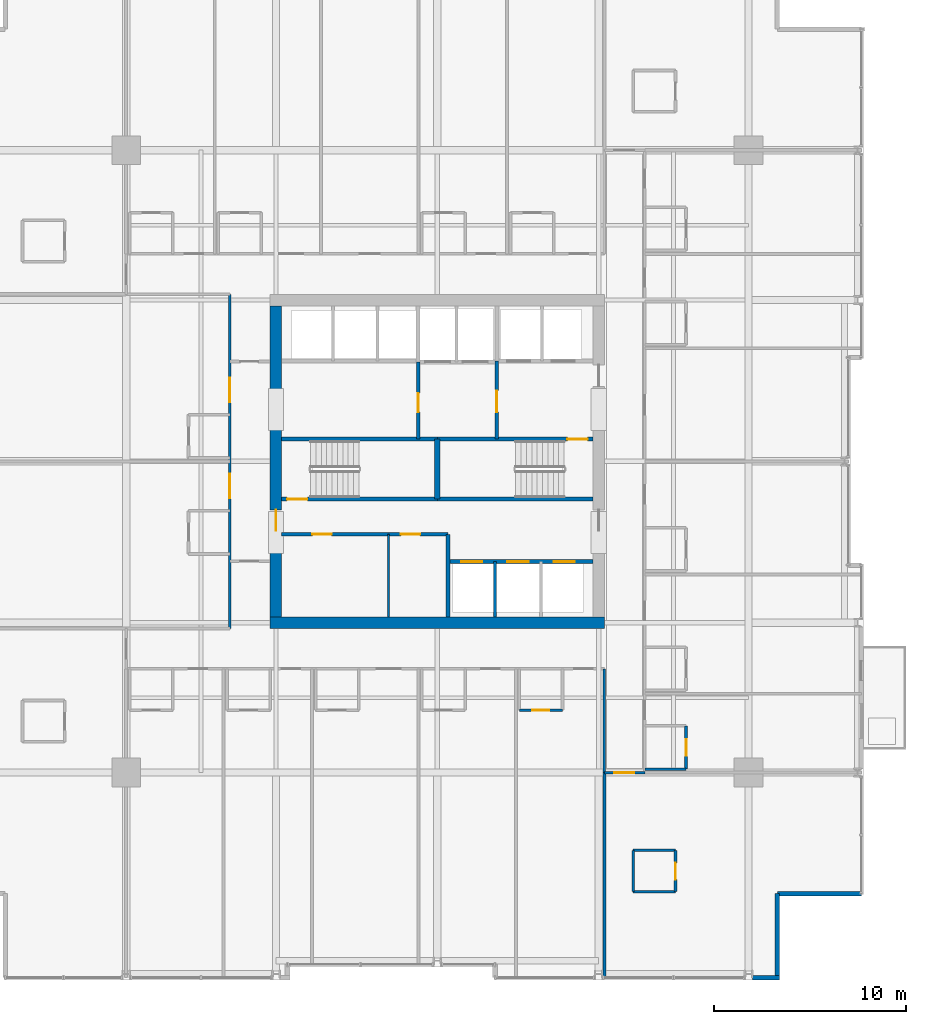
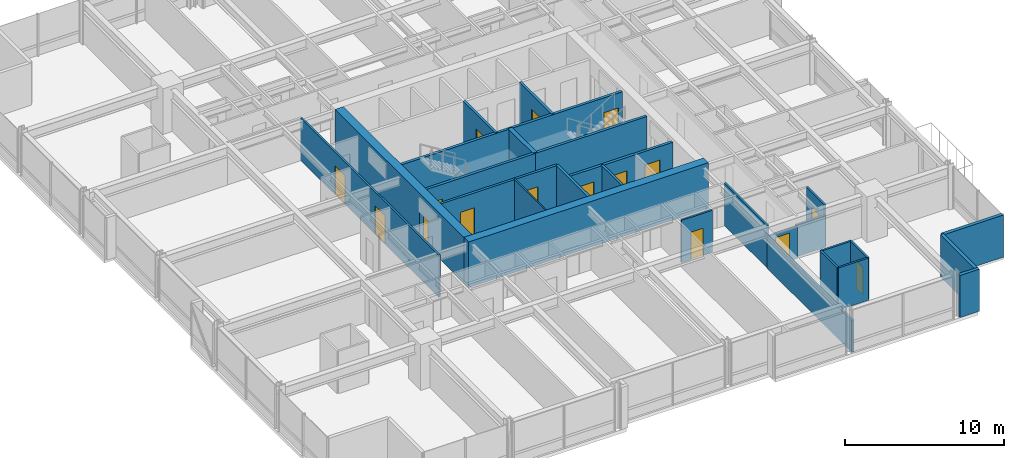
# One storey, part 29 of 35: 28 walls, 16 doors, 16 openings.
"""IFC4 building model written with IfcOpenShell, lengths in metres."""

from ifc_helpers import new_model, si_unit, direction, frame, frame_2d, origin, place, context, subcontext, project, spatial, rectangle, extrude, material, layer, layer_set, type_object, element, fill, save


model = new_model("IFC4")

# Units and contexts
model_context = context("Model", 3, precision=1e-05, world=origin(), true_north=direction((0.0, 1.0)))
body_context = subcontext(model_context, "Body", "Model", "MODEL_VIEW")
ifc_project = project(units=[si_unit("LENGTHUNIT", "METRE"), si_unit("AREAUNIT", "SQUARE_METRE"), si_unit("VOLUMEUNIT", "CUBIC_METRE"), si_unit("PLANEANGLEUNIT", "RADIAN"), si_unit("MASSUNIT", "GRAM", prefix="KILO")], contexts=[model_context])

# Site, building, storey
site_placement = place(None, origin())
site = spatial("IfcSite", under=ifc_project, at=site_placement, CompositionType="ELEMENT")
building_placement = place(site_placement, origin())
building = spatial("IfcBuilding", under=site, at=building_placement, Name="Drelvath Grand Hotel", CompositionType="ELEMENT")
storey_placement = place(building_placement, frame((0.0, 0.0, 98.800048828125)))
storey = spatial("IfcBuildingStorey", under=building, at=storey_placement, Name="L24", CompositionType="ELEMENT", Elevation=98.800048828125)

# Wall
ifc_material_1 = material(Name="Gypsum Partition Board")
ifc_layer_1 = layer(ifc_material_1, 0.10009765625)
ifc_layer_set_1 = layer_set([ifc_layer_1], Name="Gypsum Partition Board")
wall_type_1 = type_object("IfcWallType", Name="Core Closet Partition 100", PredefinedType="PARTITIONING", material=ifc_layer_set_1)
wall_1_placement = place(storey_placement, frame((-2.5400390625, 18.89990234375, 0.0), z_axis=(0.0, 0.0, 1.0), x_axis=(0.0, 1.0, 0.0)))
element("IfcWall", 1, at=wall_1_placement, inside=storey, type_object=wall_type_1, Name="L24 Reclaimed Core Split Wall", PredefinedType="PARTITIONING", context=body_context, shape_type="SweptSolid", body=[
    extrude(rectangle(XDim=4.300048828125, YDim=0.10009765625, at=frame_2d((2.14990234375, 0.0))), origin(), (0.0, 0.0, 1.0), 3.239990234375),
])

# Wall, openings, doors
ifc_material_2 = material(Name="Concrete C40/50", Category="concrete")
ifc_layer_2 = layer(ifc_material_2, 0.199951171875)
ifc_layer_set_2 = layer_set([ifc_layer_2], Name="Concrete C40/50")
wall_type_2 = type_object("IfcWallType", Name="Core Hoistway Fire Wall 200", PredefinedType="SOLIDWALL", material=ifc_layer_set_2)
wall_2_placement = place(storey_placement, frame((8.10009765625, 21.780029296875, 0.0), z_axis=(0.0, 0.0, 1.0), x_axis=(-1.0, 0.0, 0.0)))
wall_2 = element("IfcWall", 2, at=wall_2_placement, inside=storey, type_object=wall_type_2, Name="L24 Bank 2 Hoistway Wall", PredefinedType="SOLIDWALL", context=body_context, shape_type="SweptSolid", body=[
    extrude(rectangle(XDim=7.550048828125, YDim=0.199951171875, at=frame_2d((3.77490234375, 0.0))), origin(), (0.0, 0.0, 1.0), 3.239990234375),
])
opening_1_placement = place(wall_2_placement, frame((5.75, 0.0, 0.0)))
opening_1 = element("IfcOpeningElement", 3, at=opening_1_placement, cuts=wall_2, Name="Opening LD-PE-4", PredefinedType="OPENING", context=body_context, shape_type="SweptSolid", body=[
    extrude(rectangle(XDim=1.10009765625, YDim=2.199951171875, at=frame_2d((0.550048828125, 1.10009765625))), frame((0.0, 0.10986328125, 0.0), z_axis=(0.0, -1.0, 0.0), x_axis=(1.0, 0.0, 0.0)), (0.0, 0.0, 1.0), 0.219970703125),
])
opening_2_placement = place(wall_2_placement, frame((3.35009765625, 0.0, 0.0)))
opening_2 = element("IfcOpeningElement", 4, at=opening_2_placement, cuts=wall_2, Name="Opening LD-PE-5", PredefinedType="OPENING", context=body_context, shape_type="SweptSolid", body=[
    extrude(rectangle(XDim=1.10009765625, YDim=2.199951171875, at=frame_2d((0.550048828125, 1.10009765625))), frame((0.0, 0.10986328125, 0.0), z_axis=(0.0, -1.0, 0.0), x_axis=(1.0, 0.0, 0.0)), (0.0, 0.0, 1.0), 0.219970703125),
])
opening_3_placement = place(wall_2_placement, frame((0.949951171875, 0.0, 0.0)))
opening_3 = element("IfcOpeningElement", 5, at=opening_3_placement, cuts=wall_2, Name="Opening LD-PE-6", PredefinedType="OPENING", context=body_context, shape_type="SweptSolid", body=[
    extrude(rectangle(XDim=1.10009765625, YDim=2.199951171875, at=frame_2d((0.550048828125, 1.10009765625))), frame((0.0, 0.10986328125, 0.0), z_axis=(0.0, -1.0, 0.0), x_axis=(1.0, 0.0, 0.0)), (0.0, 0.0, 1.0), 0.219970703125),
])
ifc_material_3 = material(Name="Stainless Steel S355", Category="steel")
door_type_1 = type_object("IfcDoorType", Name="Passenger Lift Sliding Landing Door 1100x2200", OperationType="NOTDEFINED", PredefinedType="DOOR", material=ifc_material_3)
door_1_placement = place(opening_1_placement, origin())
door_1 = element("IfcDoor", 6, at=door_1_placement, inside=storey, type_object=door_type_1, Name="L24 Lift PE-4 Landing Door", OperationType="SLIDING_TO_LEFT", OverallHeight=2.199951171875, OverallWidth=1.10009765625, PredefinedType="DOOR", context=body_context, shape_type="SweptSolid", body=[
    extrude(rectangle(XDim=1.10009765625, YDim=2.199951171875, at=frame_2d((0.550048828125, 1.10009765625))), frame((0.0, 0.02490234375, 0.0), z_axis=(0.0, -1.0, 0.0), x_axis=(1.0, 0.0, 0.0)), (0.0, 0.0, 1.0), 0.050048828125),
])
fill(opening_1, door_1)
door_2_placement = place(opening_2_placement, origin())
door_2 = element("IfcDoor", 7, at=door_2_placement, inside=storey, type_object=door_type_1, Name="L24 Lift PE-5 Landing Door", OperationType="SLIDING_TO_LEFT", OverallHeight=2.199951171875, OverallWidth=1.10009765625, PredefinedType="DOOR", context=body_context, shape_type="SweptSolid", body=[
    extrude(rectangle(XDim=1.10009765625, YDim=2.199951171875, at=frame_2d((0.550048828125, 1.10009765625))), frame((0.0, 0.02490234375, 0.0), z_axis=(0.0, -1.0, 0.0), x_axis=(1.0, 0.0, 0.0)), (0.0, 0.0, 1.0), 0.050048828125),
])
fill(opening_2, door_2)
door_3_placement = place(opening_3_placement, origin())
door_3 = element("IfcDoor", 8, at=door_3_placement, inside=storey, type_object=door_type_1, Name="L24 Lift PE-6 Landing Door", OperationType="SLIDING_TO_LEFT", OverallHeight=2.199951171875, OverallWidth=1.10009765625, PredefinedType="DOOR", context=body_context, shape_type="SweptSolid", body=[
    extrude(rectangle(XDim=1.10009765625, YDim=2.199951171875, at=frame_2d((0.550048828125, 1.10009765625))), frame((0.0, 0.02490234375, 0.0), z_axis=(0.0, -1.0, 0.0), x_axis=(1.0, 0.0, 0.0)), (0.0, 0.0, 1.0), 0.050048828125),
])
fill(opening_3, door_3)

# Wall
wall_3_placement = place(storey_placement, frame((0.550048828125, 18.89990234375, 0.0), z_axis=(0.0, 0.0, 1.0), x_axis=(0.0, 1.0, 0.0)))
element("IfcWall", 9, at=wall_3_placement, inside=storey, type_object=wall_type_2, Name="L24 Bank 2 West Wall", PredefinedType="SOLIDWALL", context=body_context, shape_type="SweptSolid", body=[
    extrude(rectangle(XDim=4.300048828125, YDim=0.199951171875, at=frame_2d((2.14990234375, 0.0))), origin(), (0.0, 0.0, 1.0), 3.239990234375),
])

# Wall, opening, door
ifc_layer_3 = layer(ifc_material_2, 0.199951171875)
ifc_layer_set_3 = layer_set([ifc_layer_3], Name="Concrete C40/50")
wall_type_3 = type_object("IfcWallType", Name="Core Shaft Fire Wall 200", PredefinedType="SOLIDWALL", material=ifc_layer_set_3)
wall_4_placement = place(storey_placement, frame((-8.10009765625, 25.0400390625, 0.0), z_axis=(0.0, 0.0, 1.0), x_axis=(1.0, 0.0, 0.0)))
wall_4 = element("IfcWall", 10, at=wall_4_placement, inside=storey, type_object=wall_type_3, Name="L24 Stair ST-1 South Wall", PredefinedType="SOLIDWALL", context=body_context, shape_type="SweptSolid", body=[
    extrude(rectangle(XDim=8.10009765625, YDim=0.199951171875, at=frame_2d((4.050048828125, 0.0))), origin(), (0.0, 0.0, 1.0), 3.239990234375),
])
opening_4_placement = place(wall_4_placement, frame((0.280029296875, 0.0, 0.0)))
opening_4 = element("IfcOpeningElement", 11, at=opening_4_placement, cuts=wall_4, Name="Opening D-T2G1-001", PredefinedType="OPENING", context=body_context, shape_type="SweptSolid", body=[
    extrude(rectangle(XDim=1.050048828125, YDim=2.10009765625, at=frame_2d((0.52490234375, 1.050048828125))), frame((0.0, 0.10986328125, 0.0), z_axis=(0.0, -1.0, 0.0), x_axis=(1.0, 0.0, 0.0)), (0.0, 0.0, 1.0), 0.219970703125),
])
ifc_material_4 = material(Name="Painted Steel S275", Category="steel")
door_type_2 = type_object("IfcDoorType", Name="Tower Stairwell Fire Door 1050x2100", OperationType="NOTDEFINED", PredefinedType="DOOR", material=ifc_material_4)
door_4_placement = place(opening_4_placement, origin())
door_4 = element("IfcDoor", 12, at=door_4_placement, inside=storey, type_object=door_type_2, Name="L24 Exit Stair ST-1 Door", OperationType="SINGLE_SWING_LEFT", OverallHeight=2.10009765625, OverallWidth=1.050048828125, PredefinedType="DOOR", context=body_context, shape_type="SweptSolid", body=[
    extrude(rectangle(XDim=1.050048828125, YDim=2.10009765625, at=frame_2d((0.52490234375, 1.050048828125))), frame((0.0, 0.02490234375, 0.0), z_axis=(0.0, -1.0, 0.0), x_axis=(1.0, 0.0, 0.0)), (0.0, 0.0, 1.0), 0.050048828125),
])
fill(opening_4, door_4)

# Walls
for number, where, z_axis, x_axis, name in (
    (13, (-8.10009765625, 28.159912109375, 0.0), (0.0, 0.0, 1.0), (1.0, 0.0, 0.0), "L24 Stair ST-1 North Wall"),
    (14, (0.0, 25.0400390625, 0.0), (0.0, 0.0, 1.0), (1.0, 0.0, 0.0), "L24 Stair ST-2 South Wall"),
):
    element("IfcWall", number, at=place(storey_placement, frame(where, z_axis=z_axis, x_axis=x_axis)), inside=storey, type_object=wall_type_3, Name=name, PredefinedType="SOLIDWALL", context=body_context, shape_type="SweptSolid", body=[
        extrude(rectangle(XDim=8.10009765625, YDim=0.199951171875, at=frame_2d((4.050048828125, 0.0))), origin(), (0.0, 0.0, 1.0), 3.239990234375),
    ])

# Wall, opening, door
wall_5_placement = place(storey_placement, frame((8.10009765625, 28.159912109375, 0.0), z_axis=(0.0, 0.0, 1.0), x_axis=(-1.0, 0.0, 0.0)))
wall_5 = element("IfcWall", 15, at=wall_5_placement, inside=storey, type_object=wall_type_3, Name="L24 Stair ST-2 North Wall", PredefinedType="SOLIDWALL", context=body_context, shape_type="SweptSolid", body=[
    extrude(rectangle(XDim=8.10009765625, YDim=0.199951171875, at=frame_2d((4.050048828125, 0.0))), origin(), (0.0, 0.0, 1.0), 3.239990234375),
])
opening_5_placement = place(wall_5_placement, frame((0.280029296875, 0.0, 0.0)))
opening_5 = element("IfcOpeningElement", 16, at=opening_5_placement, cuts=wall_5, Name="Opening D-T2G1-002", PredefinedType="OPENING", context=body_context, shape_type="SweptSolid", body=[
    extrude(rectangle(XDim=1.050048828125, YDim=2.10009765625, at=frame_2d((0.52490234375, 1.050048828125))), frame((0.0, 0.10986328125, 0.0), z_axis=(0.0, -1.0, 0.0), x_axis=(1.0, 0.0, 0.0)), (0.0, 0.0, 1.0), 0.219970703125),
])
door_5_placement = place(opening_5_placement, origin())
door_5 = element("IfcDoor", 17, at=door_5_placement, inside=storey, type_object=door_type_2, Name="L24 Exit Stair ST-2 Door", OperationType="SINGLE_SWING_LEFT", OverallHeight=2.10009765625, OverallWidth=1.050048828125, PredefinedType="DOOR", context=body_context, shape_type="SweptSolid", body=[
    extrude(rectangle(XDim=1.050048828125, YDim=2.10009765625, at=frame_2d((0.52490234375, 1.050048828125))), frame((0.0, 0.02490234375, 0.0), z_axis=(0.0, -1.0, 0.0), x_axis=(1.0, 0.0, 0.0)), (0.0, 0.0, 1.0), 0.050048828125),
])
fill(opening_5, door_5)

# Walls
ifc_layer_4 = layer(ifc_material_2, 0.300048828125)
ifc_layer_set_4 = layer_set([ifc_layer_4], Name="Concrete C40/50")
wall_type_4 = type_object("IfcWallType", Name="Core Shaft Fire Wall 300", PredefinedType="SOLIDWALL", material=ifc_layer_set_4)
wall_6_placement = place(storey_placement, frame((0.0, 25.0400390625, 0.0), z_axis=(0.0, 0.0, 1.0), x_axis=(0.0, 1.0, 0.0)))
element("IfcWall", 18, at=wall_6_placement, inside=storey, type_object=wall_type_4, Name="L24 Core Stair Divider Wall", PredefinedType="SOLIDWALL", context=body_context, shape_type="SweptSolid", body=[
    extrude(rectangle(XDim=3.119873046875, YDim=0.300048828125, at=frame_2d((1.56005859375, 0.0))), origin(), (0.0, 0.0, 1.0), 3.239990234375),
])
ifc_material_5 = material(Name="Gypsum Fireboard Partition")
ifc_layer_5 = layer(ifc_material_5, 0.1650390625)
ifc_layer_set_5 = layer_set([ifc_layer_5], Name="Gypsum Fireboard Partition")
wall_type_5 = type_object("IfcWallType", Name="Core Shaft Partition 165", PredefinedType="PARTITIONING", material=ifc_layer_set_5)
wall_7_placement = place(storey_placement, frame((3.0, 18.89990234375, 0.0), z_axis=(0.0, 0.0, 1.0), x_axis=(0.0, 1.0, 0.0)))
element("IfcWall", 19, at=wall_7_placement, inside=storey, type_object=wall_type_5, Name="L24 Lift PE-4/5 Divider", PredefinedType="PARTITIONING", context=body_context, shape_type="SweptSolid", body=[
    extrude(rectangle(XDim=2.880126953125, YDim=0.1650390625, at=frame_2d((1.43994140625, 0.0))), origin(), (0.0, 0.0, 1.0), 3.239990234375),
])
ifc_layer_6 = layer(ifc_material_5, 0.135009765625)
ifc_layer_set_6 = layer_set([ifc_layer_6], Name="Gypsum Fireboard Partition")
wall_type_6 = type_object("IfcWallType", Name="Corridor Fire Barrier Wall 135", PredefinedType="PARTITIONING", material=ifc_layer_set_6)
wall_8_placement = place(storey_placement, frame((8.699951171875, 10.800048828125, 0.0), z_axis=(0.0, 0.0, 1.0), x_axis=(0.0, 1.0, 0.0)))
element("IfcWall", 20, at=wall_8_placement, inside=storey, type_object=wall_type_6, Name="L24 East Spine South Inner Wall", PredefinedType="PARTITIONING", context=body_context, shape_type="SweptSolid", body=[
    extrude(rectangle(XDim=5.39990234375, YDim=0.135009765625, at=frame_2d((2.699951171875, 0.0))), origin(), (0.0, 0.0, 1.0), 3.239990234375),
])

# Wall, openings, doors
wall_9_placement = place(storey_placement, frame((-10.800048828125, 18.300048828125, 0.0), z_axis=(0.0, 0.0, 1.0), x_axis=(0.0, 1.0, 0.0)))
wall_9 = element("IfcWall", 21, at=wall_9_placement, inside=storey, type_object=wall_type_6, Name="L24 West Spine Wall", PredefinedType="PARTITIONING", context=body_context, shape_type="SweptSolid", body=[
    extrude(rectangle(XDim=17.39990234375, YDim=0.135009765625, at=frame_2d((8.699951171875, 0.0))), origin(), (0.0, 0.0, 1.0), 3.239990234375),
])
opening_6_placement = place(wall_9_placement, frame((6.784912109375, 0.0, 0.0)))
opening_6 = element("IfcOpeningElement", 22, at=opening_6_placement, cuts=wall_9, Name="Opening D-T2G1-058", PredefinedType="OPENING", context=body_context, shape_type="SweptSolid", body=[
    extrude(rectangle(XDim=1.260009765625, YDim=2.199951171875, at=frame_2d((0.6298828125, 1.10009765625))), frame((0.0, 0.077392578125, 0.0), z_axis=(0.0, -1.0, 0.0), x_axis=(1.0, 0.0, 0.0)), (0.0, 0.0, 1.0), 0.155029296875),
])
opening_7_placement = place(wall_9_placement, frame((11.784912109375, 0.0, 0.0)))
opening_7 = element("IfcOpeningElement", 23, at=opening_7_placement, cuts=wall_9, Name="Opening D-T2G1-060", PredefinedType="OPENING", context=body_context, shape_type="SweptSolid", body=[
    extrude(rectangle(XDim=1.260009765625, YDim=2.199951171875, at=frame_2d((0.6298828125, 1.10009765625))), frame((0.0, 0.077392578125, 0.0), z_axis=(0.0, -1.0, 0.0), x_axis=(1.0, 0.0, 0.0)), (0.0, 0.0, 1.0), 0.155029296875),
])
ifc_material_6 = material(Name="Hardwood Walnut Timber", Category="wood")
door_type_3 = type_object("IfcDoorType", Name="Suite Entrance Fire Door 1260x2200", OperationType="NOTDEFINED", PredefinedType="DOOR", material=ifc_material_6)
door_6_placement = place(opening_6_placement, origin())
door_6 = element("IfcDoor", 24, at=door_6_placement, inside=storey, type_object=door_type_3, Name="L24 Corner Suite Entry Door", OperationType="SINGLE_SWING_LEFT", OverallHeight=2.199951171875, OverallWidth=1.260009765625, PredefinedType="DOOR", context=body_context, shape_type="SweptSolid", body=[
    extrude(rectangle(XDim=1.260009765625, YDim=2.199951171875, at=frame_2d((0.6298828125, 1.10009765625))), frame((0.0, 0.02490234375, 0.0), z_axis=(0.0, -1.0, 0.0), x_axis=(1.0, 0.0, 0.0)), (0.0, 0.0, 1.0), 0.050048828125),
])
fill(opening_6, door_6)
door_7_placement = place(opening_7_placement, origin())
door_7 = element("IfcDoor", 25, at=door_7_placement, inside=storey, type_object=door_type_3, Name="L24 Corner Suite Entry Door", OperationType="SINGLE_SWING_LEFT", OverallHeight=2.199951171875, OverallWidth=1.260009765625, PredefinedType="DOOR", context=body_context, shape_type="SweptSolid", body=[
    extrude(rectangle(XDim=1.260009765625, YDim=2.199951171875, at=frame_2d((0.6298828125, 1.10009765625))), frame((0.0, 0.02490234375, 0.0), z_axis=(0.0, -1.0, 0.0), x_axis=(1.0, 0.0, 0.0)), (0.0, 0.0, 1.0), 0.050048828125),
])
fill(opening_7, door_7)

# Wall, opening, door
wall_10_placement = place(storey_placement, frame((8.699951171875, 10.800048828125, 0.0), z_axis=(0.0, 0.0, 1.0), x_axis=(1.0, 0.0, 0.0)))
wall_10 = element("IfcWall", 26, at=wall_10_placement, inside=storey, type_object=wall_type_6, Name="L24 East Spine South End", PredefinedType="PARTITIONING", context=body_context, shape_type="SweptSolid", body=[
    extrude(rectangle(XDim=2.10009765625, YDim=0.135009765625, at=frame_2d((1.050048828125, 0.0))), origin(), (0.0, 0.0, 1.0), 2.45166015625),
])
opening_8_placement = place(wall_10_placement, frame((0.52001953125, 0.0, 0.0)))
opening_8 = element("IfcOpeningElement", 27, at=opening_8_placement, cuts=wall_10, Name="Opening D-T2G1-024", PredefinedType="OPENING", context=body_context, shape_type="SweptSolid", body=[
    extrude(rectangle(XDim=1.02001953125, YDim=2.14990234375, at=frame_2d((0.510009765625, 1.074951171875))), frame((0.0, 0.077392578125, 0.0), z_axis=(0.0, -1.0, 0.0), x_axis=(1.0, 0.0, 0.0)), (0.0, 0.0, 1.0), 0.155029296875),
])
door_type_4 = type_object("IfcDoorType", Name="Amenity Meeting Fire Door 1020x2150", OperationType="NOTDEFINED", PredefinedType="DOOR", material=ifc_material_6)
door_8_placement = place(opening_8_placement, origin())
door_8 = element("IfcDoor", 28, at=door_8_placement, inside=storey, type_object=door_type_4, Name="L24 Corner Suite Entry Door", OperationType="SINGLE_SWING_LEFT", OverallHeight=2.14990234375, OverallWidth=1.02001953125, PredefinedType="DOOR", context=body_context, shape_type="SweptSolid", body=[
    extrude(rectangle(XDim=1.02001953125, YDim=2.14990234375, at=frame_2d((0.510009765625, 1.074951171875))), frame((0.0, 0.02490234375, 0.0), z_axis=(0.0, -1.0, 0.0), x_axis=(1.0, 0.0, 0.0)), (0.0, 0.0, 1.0), 0.050048828125),
])
fill(opening_8, door_8)

# Walls
ifc_material_7 = material(Name="Moisture-Resistant Gypsum Board")
ifc_layer_7 = layer(ifc_material_7, 0.139892578125)
ifc_layer_set_7 = layer_set([ifc_layer_7], Name="Moisture-Resistant Gypsum Board")
wall_type_7 = type_object("IfcWallType", Name="En-Suite Plumbing Wall 140", PredefinedType="PLUMBINGWALL", material=ifc_layer_set_7)
for number, where, z_axis, x_axis, name in (
    (29, (10.199951171875, 4.60009765625, 0.0), (0.0, 0.0, 1.0), (1.0, 0.0, 0.0), "L24 Corner En-Suite South"),
    (30, (10.199951171875, 6.75, 0.0), (0.0, 0.0, 1.0), (1.0, 0.0, 0.0), "L24 Corner En-Suite North"),
):
    element("IfcWall", number, at=place(storey_placement, frame(where, z_axis=z_axis, x_axis=x_axis)), inside=storey, type_object=wall_type_7, Name=name, PredefinedType="PLUMBINGWALL", context=body_context, shape_type="SweptSolid", body=[
        extrude(rectangle(XDim=2.199951171875, YDim=0.139892578125, at=frame_2d((1.10009765625, 0.0))), origin(), (0.0, 0.0, 1.0), 3.239990234375),
    ])
wall_11_placement = place(storey_placement, frame((10.199951171875, 4.60009765625, 0.0), z_axis=(0.0, 0.0, 1.0), x_axis=(0.0, 1.0, 0.0)))
element("IfcWall", 31, at=wall_11_placement, inside=storey, type_object=wall_type_7, Name="L24 Corner En-Suite West", PredefinedType="PLUMBINGWALL", context=body_context, shape_type="SweptSolid", body=[
    extrude(rectangle(XDim=2.14990234375, YDim=0.139892578125, at=frame_2d((1.074951171875, 0.0))), origin(), (0.0, 0.0, 1.0), 3.239990234375),
])

# Wall, opening, door
wall_12_placement = place(storey_placement, frame((12.39990234375, 4.60009765625, 0.0), z_axis=(0.0, 0.0, 1.0), x_axis=(0.0, 1.0, 0.0)))
wall_12 = element("IfcWall", 32, at=wall_12_placement, inside=storey, type_object=wall_type_7, Name="L24 Corner En-Suite East", PredefinedType="PLUMBINGWALL", context=body_context, shape_type="SweptSolid", body=[
    extrude(rectangle(XDim=2.14990234375, YDim=0.139892578125, at=frame_2d((1.074951171875, 0.0))), origin(), (0.0, 0.0, 1.0), 3.239990234375),
])
opening_9_placement = place(wall_12_placement, frame((0.6201171875, 0.0, 0.0)))
opening_9 = element("IfcOpeningElement", 33, at=opening_9_placement, cuts=wall_12, Name="Opening D-T2G1-023", PredefinedType="OPENING", context=body_context, shape_type="SweptSolid", body=[
    extrude(rectangle(XDim=0.8798828125, YDim=2.10009765625, at=frame_2d((0.43994140625, 1.050048828125))), frame((0.0, 0.079833984375, 0.0), z_axis=(0.0, -1.0, 0.0), x_axis=(1.0, 0.0, 0.0)), (0.0, 0.0, 1.0), 0.159912109375),
])
door_type_5 = type_object("IfcDoorType", Name="En-Suite Bathroom Door 880x2100", OperationType="NOTDEFINED", PredefinedType="DOOR", material=ifc_material_6)
door_9_placement = place(opening_9_placement, origin())
door_9 = element("IfcDoor", 34, at=door_9_placement, inside=storey, type_object=door_type_5, Name="L24 Corner En-Suite Door", OperationType="SINGLE_SWING_RIGHT", OverallHeight=2.10009765625, OverallWidth=0.8798828125, PredefinedType="DOOR", context=body_context, shape_type="SweptSolid", body=[
    extrude(rectangle(XDim=0.8798828125, YDim=2.10009765625, at=frame_2d((0.43994140625, 1.050048828125))), frame((0.0, 0.02490234375, 0.0), z_axis=(0.0, -1.0, 0.0), x_axis=(1.0, 0.0, 0.0)), (0.0, 0.0, 1.0), 0.050048828125),
])
fill(opening_9, door_9)

wall_13_placement = place(storey_placement, frame((4.268798828125, 14.050048828125, 0.0), z_axis=(0.0, 0.0, 1.0), x_axis=(1.0, 0.0, 0.0)))
wall_13 = element("IfcWall", 35, at=wall_13_placement, inside=storey, type_object=wall_type_7, Name="L24 En-Suite Front Wall", PredefinedType="PLUMBINGWALL", context=body_context, shape_type="SweptSolid", body=[
    extrude(rectangle(XDim=2.25, YDim=0.139892578125, at=frame_2d((1.125, 0.0))), origin(), (0.0, 0.0, 1.0), 3.239990234375),
])
opening_10_placement = place(wall_13_placement, frame((0.68505859375, 0.0, 0.0)))
opening_10 = element("IfcOpeningElement", 36, at=opening_10_placement, cuts=wall_13, Name="Opening D-T2G1-035", PredefinedType="OPENING", context=body_context, shape_type="SweptSolid", body=[
    extrude(rectangle(XDim=0.8798828125, YDim=2.10009765625, at=frame_2d((0.43994140625, 1.050048828125))), frame((0.0, 0.079833984375, 0.0), z_axis=(0.0, -1.0, 0.0), x_axis=(1.0, 0.0, 0.0)), (0.0, 0.0, 1.0), 0.159912109375),
])
door_10_placement = place(opening_10_placement, origin())
door_10 = element("IfcDoor", 37, at=door_10_placement, inside=storey, type_object=door_type_5, Name="L24 En-Suite Bathroom Door", OperationType="SINGLE_SWING_RIGHT", OverallHeight=2.10009765625, OverallWidth=0.8798828125, PredefinedType="DOOR", context=body_context, shape_type="SweptSolid", body=[
    extrude(rectangle(XDim=0.8798828125, YDim=2.10009765625, at=frame_2d((0.43994140625, 1.050048828125))), frame((0.0, 0.02490234375, 0.0), z_axis=(0.0, -1.0, 0.0), x_axis=(1.0, 0.0, 0.0)), (0.0, 0.0, 1.0), 0.050048828125),
])
fill(opening_10, door_10)

# Wall
wall_14_placement = place(storey_placement, frame((10.800048828125, 10.97998046875, 0.0), z_axis=(0.0, 0.0, 1.0), x_axis=(1.0, 0.0, 0.0)))
element("IfcWall", 38, at=wall_14_placement, inside=storey, type_object=wall_type_7, Name="L24 En-Suite Left Wall", PredefinedType="PLUMBINGWALL", context=body_context, shape_type="SweptSolid", body=[
    extrude(rectangle(XDim=2.14990234375, YDim=0.139892578125, at=frame_2d((1.074951171875, 0.0))), origin(), (0.0, 0.0, 1.0), 2.45166015625),
])

# Wall, opening, door
wall_15_placement = place(storey_placement, frame((12.949951171875, 10.97998046875, 0.0), z_axis=(0.0, 0.0, 1.0), x_axis=(0.0, 1.0, 0.0)))
wall_15 = element("IfcWall", 39, at=wall_15_placement, inside=storey, type_object=wall_type_7, Name="L24 En-Suite Front Wall", PredefinedType="PLUMBINGWALL", context=body_context, shape_type="SweptSolid", body=[
    extrude(rectangle(XDim=2.25, YDim=0.139892578125, at=frame_2d((1.125, 0.0))), origin(), (0.0, 0.0, 1.0), 3.239990234375),
])
opening_11_placement = place(wall_15_placement, frame((0.68505859375, 0.0, 0.0)))
opening_11 = element("IfcOpeningElement", 40, at=opening_11_placement, cuts=wall_15, Name="Opening D-T2G1-046", PredefinedType="OPENING", context=body_context, shape_type="SweptSolid", body=[
    extrude(rectangle(XDim=0.8798828125, YDim=2.10009765625, at=frame_2d((0.43994140625, 1.050048828125))), frame((0.0, 0.079833984375, 0.0), z_axis=(0.0, -1.0, 0.0), x_axis=(1.0, 0.0, 0.0)), (0.0, 0.0, 1.0), 0.159912109375),
])
door_11_placement = place(opening_11_placement, origin())
door_11 = element("IfcDoor", 41, at=door_11_placement, inside=storey, type_object=door_type_5, Name="L24 En-Suite Bathroom Door", OperationType="SINGLE_SWING_LEFT", OverallHeight=2.10009765625, OverallWidth=0.8798828125, PredefinedType="DOOR", context=body_context, shape_type="SweptSolid", body=[
    extrude(rectangle(XDim=0.8798828125, YDim=2.10009765625, at=frame_2d((0.43994140625, 1.050048828125))), frame((0.0, 0.02490234375, 0.0), z_axis=(0.0, -1.0, 0.0), x_axis=(1.0, 0.0, 0.0)), (0.0, 0.0, 1.0), 0.050048828125),
])
fill(opening_11, door_11)

ifc_layer_8 = layer(ifc_material_5, 0.179931640625)
ifc_layer_set_8 = layer_set([ifc_layer_8], Name="Gypsum Fireboard Partition")
wall_type_8 = type_object("IfcWallType", Name="FSAE Smoke Lobby Fire Wall 180", PredefinedType="SOLIDWALL", material=ifc_layer_set_8)
wall_16_placement = place(storey_placement, frame((3.10009765625, 28.159912109375, 0.0), z_axis=(0.0, 0.0, 1.0), x_axis=(0.0, 1.0, 0.0)))
wall_16 = element("IfcWall", 42, at=wall_16_placement, inside=storey, type_object=wall_type_8, Name="L24 FSAE Smoke Lobby West Wall", PredefinedType="SOLIDWALL", context=body_context, shape_type="SweptSolid", body=[
    extrude(rectangle(XDim=4.06005859375, YDim=0.179931640625, at=frame_2d((2.030029296875, 0.0))), origin(), (0.0, 0.0, 1.0), 3.239990234375),
])
opening_12_placement = place(wall_16_placement, frame((1.39990234375, 0.0, 0.0)))
opening_12 = element("IfcOpeningElement", 43, at=opening_12_placement, cuts=wall_16, Name="Opening D-T2G1-005", PredefinedType="OPENING", context=body_context, shape_type="SweptSolid", body=[
    extrude(rectangle(XDim=1.1201171875, YDim=2.10009765625, at=frame_2d((0.56005859375, 1.050048828125))), frame((0.0, 0.099853515625, 0.0), z_axis=(0.0, -1.0, 0.0), x_axis=(1.0, 0.0, 0.0)), (0.0, 0.0, 1.0), 0.199951171875),
])
door_type_6 = type_object("IfcDoorType", Name="FSAE Smoke Lobby Fire Door 1120x2100", OperationType="NOTDEFINED", PredefinedType="DOOR", material=ifc_material_4)
door_12_placement = place(opening_12_placement, origin())
door_12 = element("IfcDoor", 44, at=door_12_placement, inside=storey, type_object=door_type_6, Name="L24 FSAE Lobby Service Vestibule Door", OperationType="SINGLE_SWING_RIGHT", OverallHeight=2.10009765625, OverallWidth=1.1201171875, PredefinedType="DOOR", context=body_context, shape_type="SweptSolid", body=[
    extrude(rectangle(XDim=1.1201171875, YDim=2.10009765625, at=frame_2d((0.56005859375, 1.050048828125))), frame((0.0, 0.02490234375, 0.0), z_axis=(0.0, -1.0, 0.0), x_axis=(1.0, 0.0, 0.0)), (0.0, 0.0, 1.0), 0.050048828125),
])
fill(opening_12, door_12)

wall_17_placement = place(storey_placement, frame((-1.0, 28.159912109375, 0.0), z_axis=(0.0, 0.0, 1.0), x_axis=(0.0, 1.0, 0.0)))
wall_17 = element("IfcWall", 45, at=wall_17_placement, inside=storey, type_object=wall_type_8, Name="L24 Service Vestibule West Wall", PredefinedType="SOLIDWALL", context=body_context, shape_type="SweptSolid", body=[
    extrude(rectangle(XDim=4.02001953125, YDim=0.179931640625, at=frame_2d((2.010009765625, 0.0))), origin(), (0.0, 0.0, 1.0), 3.239990234375),
])
opening_13_placement = place(wall_17_placement, frame((1.39990234375, 0.0, 0.0)))
opening_13 = element("IfcOpeningElement", 46, at=opening_13_placement, cuts=wall_17, Name="Opening D-T2G1-009", PredefinedType="OPENING", context=body_context, shape_type="SweptSolid", body=[
    extrude(rectangle(XDim=1.0, YDim=2.10009765625, at=frame_2d((0.5, 1.050048828125))), frame((0.0, 0.099853515625, 0.0), z_axis=(0.0, -1.0, 0.0), x_axis=(1.0, 0.0, 0.0)), (0.0, 0.0, 1.0), 0.199951171875),
])
door_type_7 = type_object("IfcDoorType", Name="Core Service Fire Door 1000x2100", OperationType="NOTDEFINED", PredefinedType="DOOR", material=ifc_material_4)
door_13_placement = place(opening_13_placement, origin())
door_13 = element("IfcDoor", 47, at=door_13_placement, inside=storey, type_object=door_type_7, Name="L24 Service Vestibule West Door", OperationType="SINGLE_SWING_LEFT", OverallHeight=2.10009765625, OverallWidth=1.0, PredefinedType="DOOR", context=body_context, shape_type="SweptSolid", body=[
    extrude(rectangle(XDim=1.0, YDim=2.10009765625, at=frame_2d((0.5, 1.050048828125))), frame((0.0, 0.02490234375, 0.0), z_axis=(0.0, -1.0, 0.0), x_axis=(1.0, 0.0, 0.0)), (0.0, 0.0, 1.0), 0.050048828125),
])
fill(opening_13, door_13)

# Wall, openings, doors
wall_18_placement = place(storey_placement, frame((-8.10009765625, 23.199951171875, 0.0), z_axis=(0.0, 0.0, 1.0), x_axis=(1.0, 0.0, 0.0)))
wall_18 = element("IfcWall", 48, at=wall_18_placement, inside=storey, type_object=wall_type_8, Name="L24 Reclaimed Core Room Wall", PredefinedType="SOLIDWALL", context=body_context, shape_type="SweptSolid", body=[
    extrude(rectangle(XDim=8.650146484375, YDim=0.179931640625, at=frame_2d((4.3251953125, 0.0))), origin(), (0.0, 0.0, 1.0), 3.239990234375),
])
opening_14_placement = place(wall_18_placement, frame((1.60009765625, 0.0, 0.0)))
opening_14 = element("IfcOpeningElement", 49, at=opening_14_placement, cuts=wall_18, Name="Opening D-T2G1-015", PredefinedType="OPENING", context=body_context, shape_type="SweptSolid", body=[
    extrude(rectangle(XDim=1.0, YDim=2.10009765625, at=frame_2d((0.5, 1.050048828125))), frame((0.0, 0.099853515625, 0.0), z_axis=(0.0, -1.0, 0.0), x_axis=(1.0, 0.0, 0.0)), (0.0, 0.0, 1.0), 0.199951171875),
])
opening_15_placement = place(wall_18_placement, frame((6.199951171875, 0.0, 0.0)))
opening_15 = element("IfcOpeningElement", 50, at=opening_15_placement, cuts=wall_18, Name="Opening D-T2G1-016", PredefinedType="OPENING", context=body_context, shape_type="SweptSolid", body=[
    extrude(rectangle(XDim=1.0, YDim=2.10009765625, at=frame_2d((0.5, 1.050048828125))), frame((0.0, 0.099853515625, 0.0), z_axis=(0.0, -1.0, 0.0), x_axis=(1.0, 0.0, 0.0)), (0.0, 0.0, 1.0), 0.199951171875),
])
door_14_placement = place(opening_14_placement, origin())
door_14 = element("IfcDoor", 51, at=door_14_placement, inside=storey, type_object=door_type_7, Name="L24 Housekeeping Door", OperationType="SINGLE_SWING_RIGHT", OverallHeight=2.10009765625, OverallWidth=1.0, PredefinedType="DOOR", context=body_context, shape_type="SweptSolid", body=[
    extrude(rectangle(XDim=1.0, YDim=2.10009765625, at=frame_2d((0.5, 1.050048828125))), frame((0.0, 0.02490234375, 0.0), z_axis=(0.0, -1.0, 0.0), x_axis=(1.0, 0.0, 0.0)), (0.0, 0.0, 1.0), 0.050048828125),
])
fill(opening_14, door_14)
door_15_placement = place(opening_15_placement, origin())
door_15 = element("IfcDoor", 52, at=door_15_placement, inside=storey, type_object=door_type_7, Name="L24 Butler Pantry Door", OperationType="SINGLE_SWING_LEFT", OverallHeight=2.10009765625, OverallWidth=1.0, PredefinedType="DOOR", context=body_context, shape_type="SweptSolid", body=[
    extrude(rectangle(XDim=1.0, YDim=2.10009765625, at=frame_2d((0.5, 1.050048828125))), frame((0.0, 0.02490234375, 0.0), z_axis=(0.0, -1.0, 0.0), x_axis=(1.0, 0.0, 0.0)), (0.0, 0.0, 1.0), 0.050048828125),
])
fill(opening_15, door_15)

# Wall
ifc_material_8 = material(Name="Concrete f'c 70 MPa", Category="concrete")
ifc_layer_9 = layer(ifc_material_8, 0.60009765625)
ifc_layer_set_9 = layer_set([ifc_layer_9], Name="Concrete f'c 70 MPa")
wall_type_9 = type_object("IfcWallType", Name="Lower Core RC Shear Wall 600", PredefinedType="SHEAR", material=ifc_layer_set_9)
wall_19_placement = place(storey_placement, frame((8.699951171875, 18.60009765625, 0.0), z_axis=(0.0, 0.0, 1.0), x_axis=(-1.0, 0.0, 0.0)))
element("IfcWall", 53, at=wall_19_placement, inside=storey, type_object=wall_type_9, Name="L24 Central Core Shear Wall S", PredefinedType="SHEAR", context=body_context, shape_type="SweptSolid", body=[
    extrude(rectangle(XDim=17.39990234375, YDim=0.60009765625, at=frame_2d((8.699951171875, 0.0))), origin(), (0.0, 0.0, 1.0), 3.5),
])

# Wall, opening, door
wall_20_placement = place(storey_placement, frame((-8.39990234375, 18.89990234375, 0.0), z_axis=(0.0, 0.0, 1.0), x_axis=(0.0, 1.0, 0.0)))
wall_20 = element("IfcWall", 54, at=wall_20_placement, inside=storey, type_object=wall_type_9, Name="L24 Central Core Shear Wall W", PredefinedType="SHEAR", context=body_context, shape_type="SweptSolid", body=[
    extrude(rectangle(XDim=16.2001953125, YDim=0.60009765625, at=frame_2d((8.10009765625, 0.0))), origin(), (0.0, 0.0, 1.0), 3.5),
])
opening_16_placement = place(wall_20_placement, frame((4.5, 0.0, 0.0)))
opening_16 = element("IfcOpeningElement", 55, at=opening_16_placement, cuts=wall_20, Name="Opening D-T2G1-013", PredefinedType="OPENING", context=body_context, shape_type="SweptSolid", body=[
    extrude(rectangle(XDim=1.080078125, YDim=2.0400390625, at=frame_2d((0.5400390625, 1.02001953125))), frame((0.0, 0.31005859375, 0.0), z_axis=(0.0, -1.0, 0.0), x_axis=(1.0, 0.0, 0.0)), (0.0, 0.0, 1.0), 0.6201171875),
])
door_type_8 = type_object("IfcDoorType", Name="Core Corridor Fire Door 1080x2100", OperationType="NOTDEFINED", PredefinedType="DOOR", material=ifc_material_4)
door_16_placement = place(opening_16_placement, origin())
door_16 = element("IfcDoor", 56, at=door_16_placement, inside=storey, type_object=door_type_8, Name="L24 Mid-Rise Lobby West Door", OperationType="SINGLE_SWING_RIGHT", OverallHeight=2.0400390625, OverallWidth=1.080078125, PredefinedType="DOOR", context=body_context, shape_type="SweptSolid", body=[
    extrude(rectangle(XDim=1.080078125, YDim=2.0400390625, at=frame_2d((0.5400390625, 1.02001953125))), frame((0.0, 0.02490234375, 0.0), z_axis=(0.0, -1.0, 0.0), x_axis=(1.0, 0.0, 0.0)), (0.0, 0.0, 1.0), 0.050048828125),
])
fill(opening_16, door_16)

# Walls
ifc_material_9 = material(Name="Gypsum Acoustic Partition")
ifc_layer_10 = layer(ifc_material_9, 0.1650390625)
ifc_layer_set_10 = layer_set([ifc_layer_10], Name="Gypsum Acoustic Partition")
wall_type_10 = type_object("IfcWallType", Name="Suite Demising Wall 165", PredefinedType="PARTITIONING", material=ifc_layer_set_10)
wall_21_placement = place(storey_placement, frame((8.699951171875, 0.1201171875, 0.0), z_axis=(0.0, 0.0, 1.0), x_axis=(0.0, 1.0, 0.0)))
element("IfcWall", 57, at=wall_21_placement, inside=storey, type_object=wall_type_10, Name="L24 SE Suite West Wall", PredefinedType="PARTITIONING", context=body_context, shape_type="SweptSolid", body=[
    extrude(rectangle(XDim=10.679931640625, YDim=0.1650390625, at=frame_2d((5.33984375, 0.0))), origin(), (0.0, 0.0, 1.0), 2.45166015625),
])
ifc_material_10 = material(Name="Pale-Metal Insulated Aluminium Spandrel Assembly", Category="aluminium")
ifc_layer_11 = layer(ifc_material_10, 0.239990234375)
ifc_layer_set_11 = layer_set([ifc_layer_11], Name="Pale-Metal Insulated Aluminium Spandrel Assembly")
wall_type_11 = type_object("IfcWallType", Name="Tower Insulated Metal Spandrel Closure Wall 240", PredefinedType="STANDARD", material=ifc_layer_set_11)
wall_22_placement = place(storey_placement, frame((17.820068359375, 0.1201171875, 0.0), z_axis=(0.0, 0.0, 1.0), x_axis=(-1.0, 0.0, 0.0)))
element("IfcWall", 58, at=wall_22_placement, inside=storey, type_object=wall_type_11, Name="L24 Corner Pier Spandrel Wall SE3", PredefinedType="STANDARD", context=body_context, shape_type="SweptSolid", body=[
    extrude(rectangle(XDim=1.400390625, YDim=0.239990234375, at=frame_2d((0.7001953125, 0.0))), origin(), (0.0, 0.0, 1.0), 3.239990234375),
])
wall_23_placement = place(storey_placement, frame((22.080078125, 4.5, 0.0), z_axis=(0.0, 0.0, 1.0), x_axis=(-1.0, 0.0, 0.0)))
element("IfcWall", 59, at=wall_23_placement, inside=storey, type_object=wall_type_11, Name="L24 Notched Corner Return Spandrel Wall CSE1", PredefinedType="STANDARD", context=body_context, shape_type="SweptSolid", body=[
    extrude(rectangle(XDim=4.380126953125, YDim=0.239990234375, at=frame_2d((2.18994140625, 0.0))), origin(), (0.0, 0.0, 1.0), 3.239990234375),
])
wall_24_placement = place(storey_placement, frame((17.699951171875, 4.5, 0.0), z_axis=(0.0, 0.0, 1.0), x_axis=(0.0, -1.0, 0.0)))
element("IfcWall", 60, at=wall_24_placement, inside=storey, type_object=wall_type_11, Name="L24 Notched Corner Return Spandrel Wall CSE2", PredefinedType="STANDARD", context=body_context, shape_type="SweptSolid", body=[
    extrude(rectangle(XDim=4.260009765625, YDim=0.239990234375, at=frame_2d((2.1298828125, 0.0))), origin(), (0.0, 0.0, 1.0), 3.239990234375),
])

save(model, "model.ifc")
